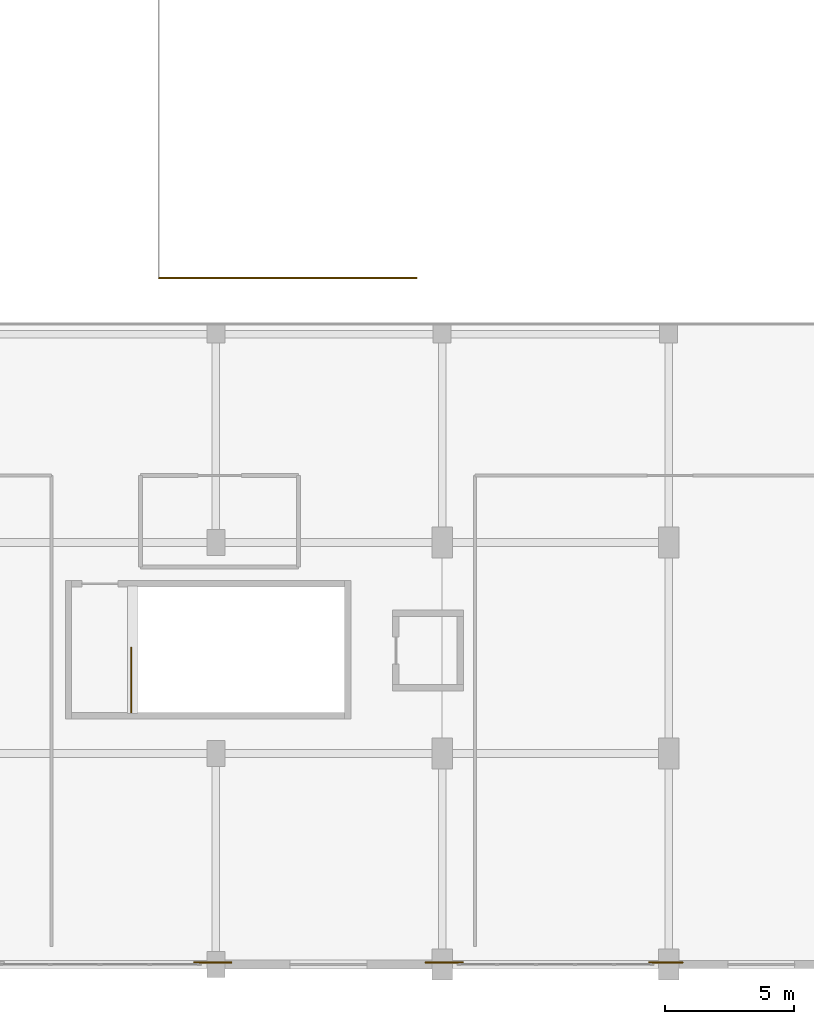
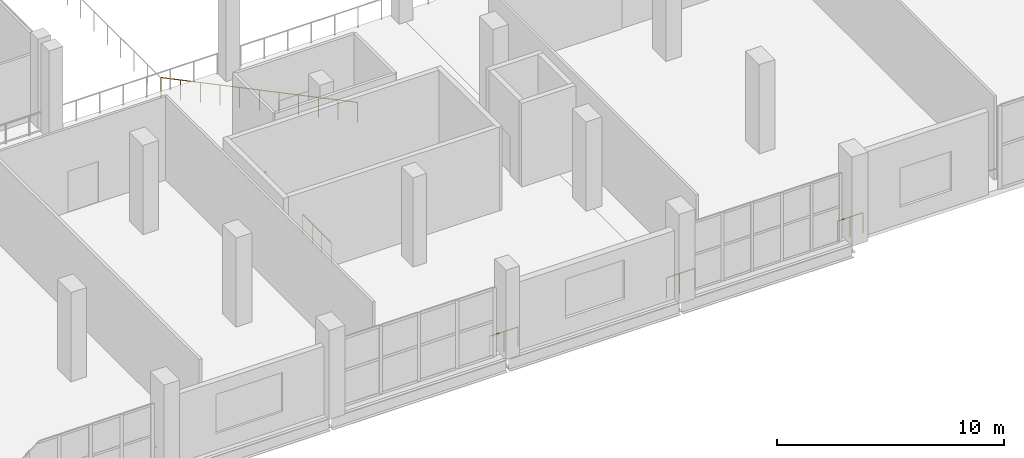
# One storey, part 79 of 104: 6 railings.
"""IFC4 building model written with IfcOpenShell, lengths in metres."""

import ifcopenshell
import ifcopenshell.guid

model = None  # the IFC model being written
_history = None  # IfcOwnerHistory: only IFC2X3 demands one
_inside = {}  # id of a spatial element -> (the spatial element, [elements in it])
_under = {}  # id of a project, library or spatial element -> (it, [spatial elements below it])
_declared = {}  # id of a project -> (the project, [libraries it declares])
_typed = {}  # id of a type object -> (the type object, [elements of that type])
_made_of = {}  # id of a material, layer set ... -> (it, [elements and type objects made of it])


def new_model(schema):
    """Start an empty IFC model of exactly this schema.

    Asked for "IFC4X3", IfcOpenShell would pick the latest addendum, in which some entities
    have other attributes; the version numbers below select the first issue.
    IFC2X3 requires an IfcOwnerHistory on every rooted entity: one is made here for all.
    """
    global model, _history
    if schema == "IFC4X3":
        model = ifcopenshell.file(schema_version=(4, 3, 0, 0))
    else:
        model = ifcopenshell.file(schema=schema)
    _inside.clear()
    _under.clear()
    _declared.clear()
    _typed.clear()
    _made_of.clear()
    _history = None
    if model.schema == "IFC2X3":
        org = make("IfcOrganization", Name="unknown")
        user = make(
            "IfcPersonAndOrganization",
            ThePerson=make("IfcPerson", FamilyName="unknown"),
            TheOrganization=org,
        )
        app = make(
            "IfcApplication",
            ApplicationDeveloper=org,
            Version="unknown",
            ApplicationFullName="unknown",
            ApplicationIdentifier="unknown",
        )
        _history = make(
            "IfcOwnerHistory",
            OwningUser=user,
            OwningApplication=app,
            ChangeAction="ADDED",
            CreationDate=0,
        )
    return model


def make(cls, **values):
    """One entity of the class cls with the attributes given. An attribute that is None is left unset."""
    return model.create_entity(
        cls, **{name: value for name, value in values.items() if value is not None}
    )


def rooted(cls, **values):
    """An entity with a GlobalId (a new one), such as an element, a storey or a relation."""
    return make(cls, GlobalId=ifcopenshell.guid.new(), OwnerHistory=_history, **values)


def si_unit(unit_type, name, prefix=None):
    """IfcSIUnit, for example si_unit("LENGTHUNIT", "METRE", prefix="MILLI")."""
    return make("IfcSIUnit", UnitType=unit_type, Prefix=prefix, Name=name)


def assignment(units):
    """IfcUnitAssignment: the units of a project."""
    return None if units is None else make("IfcUnitAssignment", Units=units)


def point(xyz):
    """IfcCartesianPoint."""
    return None if xyz is None else make("IfcCartesianPoint", Coordinates=xyz)


def direction(xyz):
    """IfcDirection."""
    return None if xyz is None else make("IfcDirection", DirectionRatios=xyz)


def frame(location, z_axis=None, x_axis=None):
    """IfcAxis2Placement3D, a coordinate frame: its origin and axes. An axis left out is left unset."""
    return make(
        "IfcAxis2Placement3D",
        Location=point(location),
        Axis=direction(z_axis),
        RefDirection=direction(x_axis),
    )


def frame_2d(location, x_axis=None):
    """IfcAxis2Placement2D, a coordinate frame in the plane: its origin and x axis."""
    return make(
        "IfcAxis2Placement2D", Location=point(location), RefDirection=direction(x_axis)
    )


def origin():
    """The frame at (0, 0, 0) with its axes left unset."""
    return frame((0.0, 0.0, 0.0))


def origin_2d():
    """The frame at (0, 0) in the plane with its x axis left unset."""
    return frame_2d((0.0, 0.0))


def place(relative_to, where):
    """IfcLocalPlacement: puts the frame where relative to a parent placement (None: the world)."""
    return make(
        "IfcLocalPlacement", PlacementRelTo=relative_to, RelativePlacement=where
    )


def context(
    kind, dimensions, precision=None, world=None, true_north=None, identifier=None
):
    """IfcGeometricRepresentationContext, for example the 3D "Model" context."""
    return make(
        "IfcGeometricRepresentationContext",
        ContextIdentifier=identifier,
        ContextType=kind,
        CoordinateSpaceDimension=dimensions,
        Precision=precision,
        WorldCoordinateSystem=world,
        TrueNorth=true_north,
    )


def subcontext(parent, identifier, kind, view, scale=None):
    """IfcGeometricRepresentationSubContext, for example "Body" below "Model"."""
    return make(
        "IfcGeometricRepresentationSubContext",
        ContextIdentifier=identifier,
        ContextType=kind,
        ParentContext=parent,
        TargetScale=scale,
        TargetView=view,
    )


def project(units=None, contexts=None):
    """IfcProject with its units and contexts."""
    return rooted(
        "IfcProject",
        Name="project",
        RepresentationContexts=contexts,
        UnitsInContext=assignment(units),
    )


def spatial(cls, under=None, at=None, **own):
    """A site, building, storey or space (cls), placed at a placement, below another one or the project."""
    s = rooted(cls, ObjectPlacement=at, **own)
    if under is not None:
        _under.setdefault(under.id(), (under, []))[1].append(s)
    return s


def profile(cls, at=None, kind="AREA", **sizes):
    """A parametric profile (cls). Its sizes go by their IFC names, for example OverallWidth=200.0."""
    return make(cls, ProfileType=kind, Position=at, **sizes)


def circle(**sizes):
    """IfcCircleProfileDef."""
    return profile("IfcCircleProfileDef", **sizes)


def extrude(swept, where, along, depth):
    """IfcExtrudedAreaSolid: the profile swept, set in the frame where, extruded along a direction by depth."""
    return make(
        "IfcExtrudedAreaSolid",
        SweptArea=swept,
        Position=where,
        ExtrudedDirection=direction(along),
        Depth=depth,
    )


def shape(context_of_items, identifier, shape_type, items):
    """IfcShapeRepresentation: the items that make up one representation, for example the "Body"."""
    return make(
        "IfcShapeRepresentation",
        ContextOfItems=context_of_items,
        RepresentationIdentifier=identifier,
        RepresentationType=shape_type,
        Items=items,
    )


def material(Name=None, Category=None):
    """IfcMaterial."""
    return make("IfcMaterial", Name=Name, Category=Category)


def made_of(thing, what):
    """Note that an element or type object is made of a material, layer set ...; save() writes the relation."""
    if what is not None:
        _made_of.setdefault(what.id(), (what, []))[1].append(thing)
    return thing


def type_object(cls, material=None, **own):
    """A type object (cls), such as IfcWallType, which elements share."""
    return made_of(rooted(cls, **own), material)


def element(
    cls,
    number,
    at=None,
    inside=None,
    cuts=None,
    type_object=None,
    material=None,
    context=None,
    identifier="Body",
    shape_type=None,
    held_by="IfcProductDefinitionShape",
    body=None,
    shapes=None,
    **own,
):
    """One element of the class cls, such as IfcWall. Its Tag is "e" and its number.

    at: its placement. inside: the storey or other place that contains it. cuts: it is an
    opening in that element (IfcRelVoidsElement). A single representation is given by context,
    identifier, shape_type and body (its items); several are given by shapes. held_by: the class
    of the entity that holds the representations. save() writes the other relations.
    """
    e = rooted(cls, Tag="e%d" % number, ObjectPlacement=at, **own)
    if body is not None:
        shapes = [shape(context, identifier, shape_type, body)]
    if shapes is not None:
        e.Representation = make(held_by, Representations=shapes)
    if inside is not None:
        _inside.setdefault(inside.id(), (inside, []))[1].append(e)
    if cuts is not None:
        rooted(
            "IfcRelVoidsElement", RelatingBuildingElement=cuts, RelatedOpeningElement=e
        )
    if type_object is not None:
        _typed.setdefault(type_object.id(), (type_object, []))[1].append(e)
    return made_of(e, material)


def aggregate(whole, parts):
    """IfcRelAggregates: a whole, such as a stair, and the parts it consists of."""
    return rooted("IfcRelAggregates", RelatingObject=whole, RelatedObjects=parts)


def save(model, path):
    """Write the relations noted so far, then the file.

    IfcRelAggregates (storeys below a building ...), IfcRelContainedInSpatialStructure (elements
    in a storey), IfcRelDefinesByType, IfcRelAssociatesMaterial and IfcRelDeclares: one each for
    every whole, place, type object, material and project.
    """
    for whole, parts in _under.values():
        aggregate(whole, parts)
    for where, things in _inside.values():
        rooted(
            "IfcRelContainedInSpatialStructure",
            RelatedElements=things,
            RelatingStructure=where,
        )
    for kind, things in _typed.values():
        rooted("IfcRelDefinesByType", RelatedObjects=things, RelatingType=kind)
    for what, things in _made_of.values():
        rooted("IfcRelAssociatesMaterial", RelatedObjects=things, RelatingMaterial=what)
    for by, libraries in _declared.values():
        rooted("IfcRelDeclares", RelatingContext=by, RelatedDefinitions=libraries)
    model.write(path)


model = new_model("IFC4")

# Units and contexts
model_context = context("Model", 3, precision=1e-05, world=origin(), true_north=direction((0.0, 1.0)))
body_context = subcontext(model_context, "Body", "Model", "MODEL_VIEW")
ifc_project = project(units=[si_unit("LENGTHUNIT", "METRE"), si_unit("AREAUNIT", "SQUARE_METRE"), si_unit("VOLUMEUNIT", "CUBIC_METRE"), si_unit("PLANEANGLEUNIT", "RADIAN"), si_unit("MASSUNIT", "GRAM", prefix="KILO")], contexts=[model_context])

# Site, building, storey
site_placement = place(None, origin())
site = spatial("IfcSite", under=ifc_project, at=site_placement, CompositionType="ELEMENT")
building_placement = place(site_placement, origin())
building = spatial("IfcBuilding", under=site, at=building_placement, Name="Koshinbarg Plaza Stadium", CompositionType="ELEMENT")
storey_placement = place(building_placement, frame((0.0, 0.0, 19.800048828125)))
storey = spatial("IfcBuildingStorey", under=building, at=storey_placement, Name="L04", CompositionType="ELEMENT", Elevation=19.800048828125)

# Railings
ifc_material_1 = material(Name="Toughened laminated glass and stainless steel sightline balustrade", Category="steel")
railing_type_1 = type_object("IfcRailingType", Name="RL-BOWL-1100", PredefinedType="BALUSTRADE", material=ifc_material_1)
railing_1_placement = place(storey_placement, frame((72.39990234375, 0.080078125, 0.0)))
element("IfcRailing", 1, at=railing_1_placement, inside=storey, type_object=railing_type_1, Name="L04 deck edge safety balustrade 0331", PredefinedType="BALUSTRADE", context=body_context, shape_type="SweptSolid", body=[
    extrude(circle(Radius=0.02392578125, at=origin_2d()), frame((0.0, 0.0, 1.076171875), z_axis=(-1.0, 0.0, 0.0), x_axis=(0.0, -1.0, 0.0)), (0.0, 0.0, 1.0), 0.6494140625),
    extrude(circle(Radius=0.02099609375, at=origin_2d()), origin(), (0.0, 0.0, 1.0), 1.052001953125),
    extrude(circle(Radius=0.02099609375, at=origin_2d()), frame((-0.6494140625, 0.0, 0.0)), (0.0, 0.0, 1.0), 1.052001953125),
])
railing_2_placement = place(storey_placement, frame((64.207763671875, 0.080078125, 0.0)))
element("IfcRailing", 2, at=railing_2_placement, inside=storey, type_object=railing_type_1, Name="L04 deck edge safety balustrade 0332", PredefinedType="BALUSTRADE", context=body_context, shape_type="SweptSolid", body=[
    extrude(circle(Radius=0.02392578125, at=origin_2d()), frame((0.0, 0.0, 1.076171875), z_axis=(-1.0, 0.0, 0.0), x_axis=(0.0, -1.0, 0.0)), (0.0, 0.0, 1.0), 1.448974609375),
    extrude(circle(Radius=0.02099609375, at=origin_2d()), origin(), (0.0, 0.0, 1.0), 1.052001953125),
    extrude(circle(Radius=0.02099609375, at=origin_2d()), frame((-0.724609375, 0.0, 0.0)), (0.0, 0.0, 1.0), 1.052001953125),
    extrude(circle(Radius=0.02099609375, at=origin_2d()), frame((-1.448974609375, 0.0, 0.0)), (0.0, 0.0, 1.0), 1.052001953125),
])
railing_3_placement = place(storey_placement, frame((81.74072265625, 0.080078125, 0.0)))
element("IfcRailing", 3, at=railing_3_placement, inside=storey, type_object=railing_type_1, Name="L04 deck edge safety balustrade 0339", PredefinedType="BALUSTRADE", context=body_context, shape_type="SweptSolid", body=[
    extrude(circle(Radius=0.02392578125, at=origin_2d()), frame((0.0, 0.0, 1.076171875), z_axis=(-1.0, 0.0, 0.0), x_axis=(0.0, -1.0, 0.0)), (0.0, 0.0, 1.0), 1.299072265625),
    extrude(circle(Radius=0.02099609375, at=origin_2d()), origin(), (0.0, 0.0, 1.0), 1.052001953125),
    extrude(circle(Radius=0.02099609375, at=origin_2d()), frame((-0.6494140625, 0.0, 0.0)), (0.0, 0.0, 1.0), 1.052001953125),
    extrude(circle(Radius=0.02099609375, at=origin_2d()), frame((-1.299072265625, 0.0, 0.0)), (0.0, 0.0, 1.0), 1.052001953125),
])
railing_4_placement = place(storey_placement, frame((73.199462890625, 0.080078125, 0.0)))
element("IfcRailing", 4, at=railing_4_placement, inside=storey, type_object=railing_type_1, Name="L04 deck edge safety balustrade 0340", PredefinedType="BALUSTRADE", context=body_context, shape_type="SweptSolid", body=[
    extrude(circle(Radius=0.02392578125, at=origin_2d()), frame((0.0, 0.0, 1.076171875), z_axis=(-1.0, 0.0, 0.0), x_axis=(0.0, -1.0, 0.0)), (0.0, 0.0, 1.0), 0.799560546875),
    extrude(circle(Radius=0.02099609375, at=origin_2d()), origin(), (0.0, 0.0, 1.0), 1.052001953125),
    extrude(circle(Radius=0.02099609375, at=origin_2d()), frame((-0.799560546875, 0.0, 0.0)), (0.0, 0.0, 1.0), 1.052001953125),
])
ifc_material_2 = material(Name="Galvanized painted steel guardrail", Category="steel")
railing_type_2 = type_object("IfcRailingType", Name="RL-GUARD-1100", PredefinedType="GUARDRAIL", material=ifc_material_2)
railing_5_placement = place(storey_placement, frame((71.39990234375, 26.679931640625, -6.580078125)))
element("IfcRailing", 5, at=railing_5_placement, inside=storey, type_object=railing_type_2, Name="UT-W01 stepped aisle guard L", PredefinedType="GUARDRAIL", context=body_context, shape_type="SweptSolid", body=[
    extrude(circle(Radius=0.02392578125, at=origin_2d()), frame((0.0, 0.0, 1.076171875), z_axis=(-0.900110607261, 0.0, 0.435661445043), x_axis=(0.0, -1.0, 0.0)), (0.0, 0.0, 1.0), 11.10986328125),
    extrude(circle(Radius=0.02099609375, at=origin_2d()), origin(), (0.0, 0.0, 1.0), 1.052001953125),
    extrude(circle(Radius=0.02099609375, at=origin_2d()), frame((-1.0, 0.0, 0.48388671875)), (0.0, 0.0, 1.0), 1.052001953125),
    extrude(circle(Radius=0.02099609375, at=origin_2d()), frame((-2.0, 0.0, 0.968017578125)), (0.0, 0.0, 1.0), 1.052001953125),
    extrude(circle(Radius=0.02099609375, at=origin_2d()), frame((-3.0, 0.0, 1.4521484375)), (0.0, 0.0, 1.0), 1.052001953125),
    extrude(circle(Radius=0.02099609375, at=origin_2d()), frame((-4.0, 0.0, 1.93603515625)), (0.0, 0.0, 1.0), 1.052001953125),
    extrude(circle(Radius=0.02099609375, at=origin_2d()), frame((-5.0, 0.0, 2.419921875)), (0.0, 0.0, 1.0), 1.052001953125),
    extrude(circle(Radius=0.02099609375, at=origin_2d()), frame((-6.0, 0.0, 2.904052734375)), (0.0, 0.0, 1.0), 1.052001953125),
    extrude(circle(Radius=0.02099609375, at=origin_2d()), frame((-7.0, 0.0, 3.38818359375)), (0.0, 0.0, 1.0), 1.052001953125),
    extrude(circle(Radius=0.02099609375, at=origin_2d()), frame((-8.0, 0.0, 3.8720703125)), (0.0, 0.0, 1.0), 1.052001953125),
    extrude(circle(Radius=0.02099609375, at=origin_2d()), frame((-9.0, 0.0, 4.35595703125)), (0.0, 0.0, 1.0), 1.052001953125),
    extrude(circle(Radius=0.02099609375, at=origin_2d()), frame((-10.0, 0.0, 4.840087890625)), (0.0, 0.0, 1.0), 1.052001953125),
])
railing_6_placement = place(storey_placement, frame((60.31005859375, 9.800048828125, 0.0)))
element("IfcRailing", 6, at=railing_6_placement, inside=storey, type_object=railing_type_2, Name="L04 C13 top stairwell guard 1", PredefinedType="GUARDRAIL", context=body_context, shape_type="SweptSolid", body=[
    extrude(circle(Radius=0.02392578125, at=origin_2d()), frame((0.0, 0.0, 1.076171875), z_axis=(0.0, 1.0, 0.0), x_axis=(-1.0, 0.0, 0.0)), (0.0, 0.0, 1.0), 2.510009765625),
    extrude(circle(Radius=0.02099609375, at=origin_2d()), origin(), (0.0, 0.0, 1.0), 1.052001953125),
    extrude(circle(Radius=0.02099609375, at=origin_2d()), frame((0.0, 0.836669921875, 0.0)), (0.0, 0.0, 1.0), 1.052001953125),
    extrude(circle(Radius=0.02099609375, at=origin_2d()), frame((0.0, 1.67333984375, 0.0)), (0.0, 0.0, 1.0), 1.052001953125),
    extrude(circle(Radius=0.02099609375, at=origin_2d()), frame((0.0, 2.510009765625, 0.0)), (0.0, 0.0, 1.0), 1.052001953125),
])

save(model, "model.ifc")
